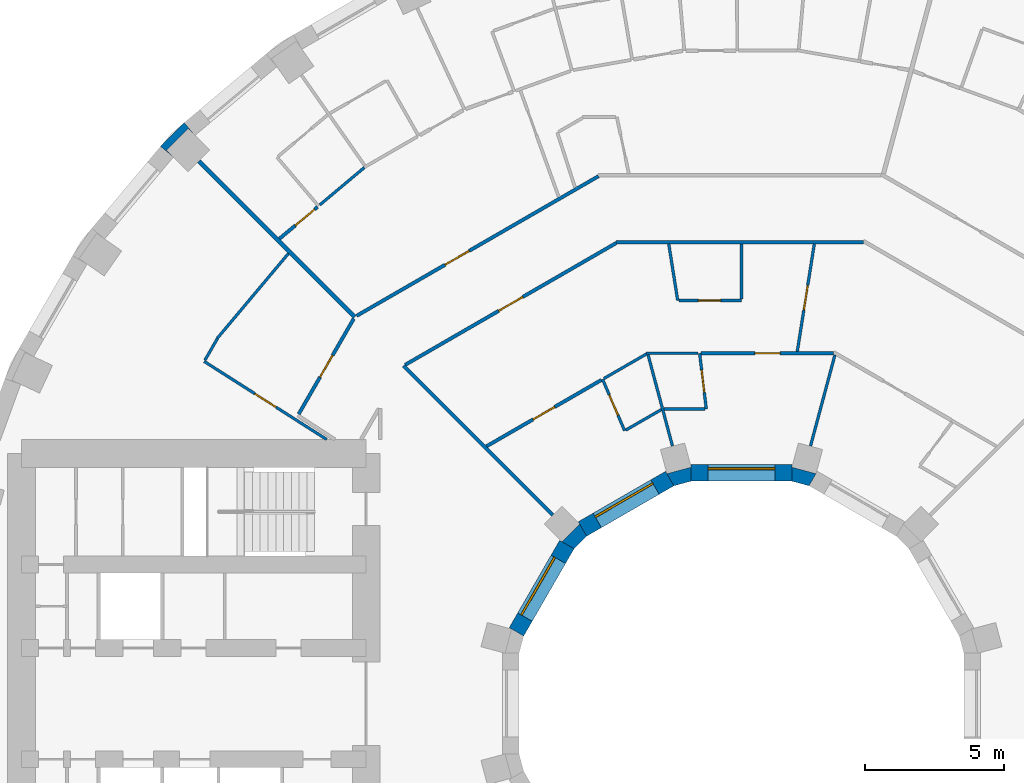
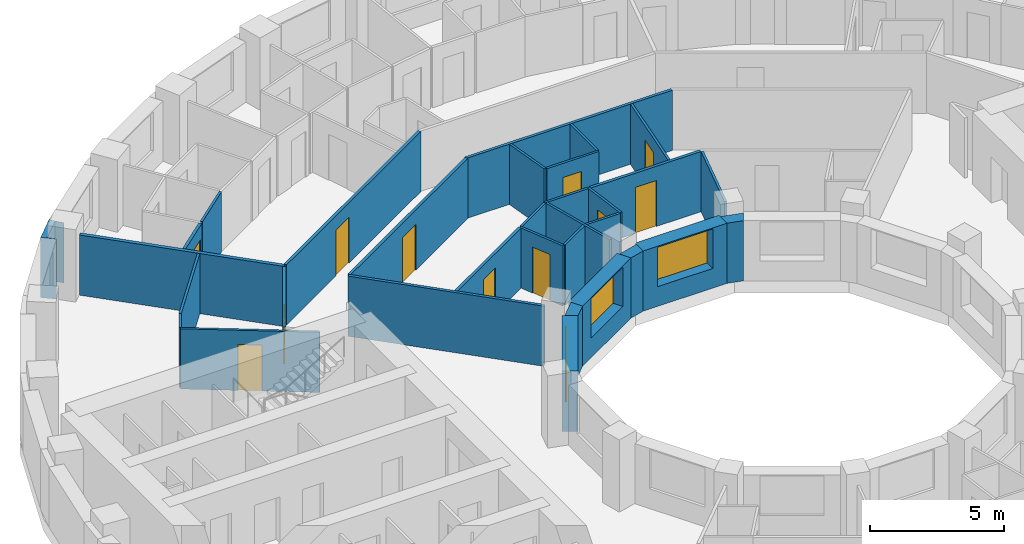
# One storey, part 11 of 16: 32 walls, 11 doors, 3 windows, 14 openings.
"""IFC4 building model written with IfcOpenShell, lengths in metres."""

from ifc_helpers import new_model, si_unit, direction, frame, frame_2d, origin, place, context, subcontext, project, spatial, polyline, rectangle, outline, extrude, material, layer, layer_set, type_object, element, fill, save


model = new_model("IFC4")

# Units and contexts
model_context = context("Model", 3, precision=1e-05, world=origin(), true_north=direction((0.0, 1.0)))
body_context = subcontext(model_context, "Body", "Model", "MODEL_VIEW")
ifc_project = project(units=[si_unit("LENGTHUNIT", "METRE"), si_unit("AREAUNIT", "SQUARE_METRE"), si_unit("VOLUMEUNIT", "CUBIC_METRE"), si_unit("PLANEANGLEUNIT", "RADIAN"), si_unit("MASSUNIT", "GRAM", prefix="KILO")], contexts=[model_context])

# Site, building, storey
site_placement = place(None, origin())
site = spatial("IfcSite", under=ifc_project, at=site_placement, CompositionType="ELEMENT")
building_placement = place(site_placement, origin())
building = spatial("IfcBuilding", under=site, at=building_placement, Name="Saqina Gate Tower", CompositionType="ELEMENT")
storey_placement = place(building_placement, frame((0.0, 0.0, 26.300048828125)))
storey = spatial("IfcBuildingStorey", under=building, at=storey_placement, Name="L06", CompositionType="ELEMENT", Elevation=26.300048828125)

# Wall
ifc_material_1 = material(Name="Brick masonry (red)", Category="masonry")
wall_type_1 = type_object("IfcWallType", Name="BRICK PIER COPING RED", PredefinedType="SOLIDWALL", material=ifc_material_1)
wall_1_placement = place(storey_placement, origin())
element("IfcWall", 1, at=wall_1_placement, inside=storey, type_object=wall_type_1, Name="Pier cap L06 column 14", PredefinedType="SOLIDWALL", context=body_context, shape_type="SweptSolid", body=[
    extrude(outline(polyline([(-20.894775390625, 20.04296875), (-20.43505859375, 19.6572265625), (-20.682861328125, 19.905029296875), (-19.905029296875, 20.682861328125), (-19.6572265625, 20.43505859375), (-20.04296875, 20.894775390625), (-20.894775390625, 20.04296875)])), origin(), (0.0, 0.0, 1.0), 2.75),
])

# Wall, opening, window
ifc_material_2 = material(Name="Glazed ceramic tile", Category="ceramic")
ifc_layer_1 = layer(ifc_material_2, 0.60009765625)
ifc_layer_set_1 = layer_set([ifc_layer_1], Name="IW-TILE")
wall_type_2 = type_object("IfcWallType", Name="IW-TILE", PredefinedType="SOLIDWALL", material=ifc_layer_set_1)
wall_2_placement = place(storey_placement, frame((1.8125, 8.300048828125, 0.0), z_axis=(0.0, 0.0, 1.0), x_axis=(-1.0, 0.0, 0.0)))
wall_2 = element("IfcWall", 2, at=wall_2_placement, inside=storey, type_object=wall_type_2, Name="Well wall L06 facet 3", PredefinedType="SOLIDWALL", context=body_context, shape_type="SweptSolid", body=[
    extrude(rectangle(XDim=3.625, YDim=0.60009765625, at=frame_2d((1.8125, 0.0))), origin(), (0.0, 0.0, 1.0), 2.75),
])
opening_1_placement = place(wall_2_placement, frame((0.612548828125, 0.0, 0.89990234375)))
opening_1 = element("IfcOpeningElement", 3, at=opening_1_placement, cuts=wall_2, Name="Opening G01-W25", PredefinedType="OPENING", context=body_context, shape_type="SweptSolid", body=[
    extrude(rectangle(XDim=2.39990234375, YDim=1.800048828125, at=frame_2d((1.199951171875, 0.89990234375))), frame((0.0, 0.31201171875, 0.0), z_axis=(0.0, -1.0, 0.0), x_axis=(1.0, 0.0, 0.0)), (0.0, 0.0, 1.0), 0.6240234375),
])
ifc_material_3 = material(Name="Aluminium glazing", Category="aluminium")
window_type = type_object("IfcWindowType", Name="WN-W", PartitioningType="SINGLE_PANEL", PredefinedType="WINDOW", material=ifc_material_3)
window_1_placement = place(opening_1_placement, origin())
window_1 = element("IfcWindow", 4, at=window_1_placement, inside=storey, type_object=window_type, Name="Well window L06 facet 3", OverallHeight=1.800048828125, OverallWidth=2.39990234375, PartitioningType="SINGLE_PANEL", PredefinedType="WINDOW", context=body_context, shape_type="SweptSolid", body=[
    extrude(rectangle(XDim=2.39990234375, YDim=1.800048828125, at=frame_2d((1.199951171875, 0.89990234375))), frame((0.0, -0.119873046875, 0.0), z_axis=(0.0, -1.0, 0.0), x_axis=(1.0, 0.0, 0.0)), (0.0, 0.0, 1.0), 0.06005859375),
])
fill(opening_1, window_1)

wall_3_placement = place(storey_placement, frame((-2.580322265625, 8.09423828125, 0.0), z_axis=(0.0, 0.0, 1.0), x_axis=(-0.866029693906, -0.499992569217, 0.0)))
wall_3 = element("IfcWall", 5, at=wall_3_placement, inside=storey, type_object=wall_type_2, Name="Well wall L06 facet 4", PredefinedType="SOLIDWALL", context=body_context, shape_type="SweptSolid", body=[
    extrude(rectangle(XDim=3.625, YDim=0.60009765625, at=frame_2d((1.8125, 0.0))), origin(), (0.0, 0.0, 1.0), 2.75),
])
opening_2_placement = place(wall_3_placement, frame((0.612548828125, 0.0, 0.89990234375)))
opening_2 = element("IfcOpeningElement", 6, at=opening_2_placement, cuts=wall_3, Name="Opening G01-W26", PredefinedType="OPENING", context=body_context, shape_type="SweptSolid", body=[
    extrude(rectangle(XDim=2.39990234375, YDim=1.800048828125, at=frame_2d((1.199951171875, 0.89990234375))), frame((0.0, 0.31201171875, 0.0), z_axis=(0.0, -1.0, 0.0), x_axis=(1.0, 0.0, 0.0)), (0.0, 0.0, 1.0), 0.6240234375),
])
window_2_placement = place(opening_2_placement, origin())
window_2 = element("IfcWindow", 7, at=window_2_placement, inside=storey, type_object=window_type, Name="Well window L06 facet 4", OverallHeight=1.800048828125, OverallWidth=2.39990234375, PartitioningType="SINGLE_PANEL", PredefinedType="WINDOW", context=body_context, shape_type="SweptSolid", body=[
    extrude(rectangle(XDim=2.39990234375, YDim=1.800048828125, at=frame_2d((1.199951171875, 0.89990234375))), frame((0.0, -0.119873046875, 0.0), z_axis=(0.0, -1.0, 0.0), x_axis=(1.0, 0.0, 0.0)), (0.0, 0.0, 1.0), 0.06005859375),
])
fill(opening_2, window_2)

wall_4_placement = place(storey_placement, frame((-6.28173828125, 5.7197265625, 0.0), z_axis=(0.0, 0.0, 1.0), x_axis=(-0.499992569217, -0.866029693906, 0.0)))
wall_4 = element("IfcWall", 8, at=wall_4_placement, inside=storey, type_object=wall_type_2, Name="Well wall L06 facet 5", PredefinedType="SOLIDWALL", context=body_context, shape_type="SweptSolid", body=[
    extrude(rectangle(XDim=3.625, YDim=0.60009765625, at=frame_2d((1.8125, 0.0))), origin(), (0.0, 0.0, 1.0), 2.75),
])
opening_3_placement = place(wall_4_placement, frame((0.612548828125, 0.0, 0.89990234375)))
opening_3 = element("IfcOpeningElement", 9, at=opening_3_placement, cuts=wall_4, Name="Opening G01-W27", PredefinedType="OPENING", context=body_context, shape_type="SweptSolid", body=[
    extrude(rectangle(XDim=2.39990234375, YDim=1.800048828125, at=frame_2d((1.199951171875, 0.89990234375))), frame((0.0, 0.31201171875, 0.0), z_axis=(0.0, -1.0, 0.0), x_axis=(1.0, 0.0, 0.0)), (0.0, 0.0, 1.0), 0.6240234375),
])
window_3_placement = place(opening_3_placement, origin())
window_3 = element("IfcWindow", 10, at=window_3_placement, inside=storey, type_object=window_type, Name="Well window L06 facet 5", OverallHeight=1.800048828125, OverallWidth=2.39990234375, PartitioningType="SINGLE_PANEL", PredefinedType="WINDOW", context=body_context, shape_type="SweptSolid", body=[
    extrude(rectangle(XDim=2.39990234375, YDim=1.800048828125, at=frame_2d((1.199951171875, 0.89990234375))), frame((0.0, -0.119873046875, 0.0), z_axis=(0.0, -1.0, 0.0), x_axis=(1.0, 0.0, 0.0)), (0.0, 0.0, 1.0), 0.06005859375),
])
fill(opening_3, window_3)

# Wall, opening, door
ifc_material_4 = material(Name="Gypsum board on steel studs, 100 mm", Category="steel")
ifc_layer_2 = layer(ifc_material_4, 0.10009765625)
ifc_layer_set_2 = layer_set([ifc_layer_2], Name="PARTITION 100")
wall_type_3 = type_object("IfcWallType", Name="PARTITION 100", PredefinedType="PARTITIONING", material=ifc_layer_set_2)
wall_5_placement = place(storey_placement, frame((-1.506103515625, 12.60009765625, 0.0), z_axis=(0.0, 0.0, 1.0), x_axis=(0.11866247814, -0.992934648545, 0.0)))
wall_5 = element("IfcWall", 11, at=wall_5_placement, inside=storey, type_object=wall_type_3, Name="PARTITION PW3-05", PredefinedType="PARTITIONING", context=body_context, shape_type="SweptSolid", body=[
    extrude(rectangle(XDim=2.01416015625, YDim=0.10009765625, at=frame_2d((1.007080078125, 0.0))), origin(), (0.0, 0.0, 1.0), 2.75),
])
opening_4_placement = place(wall_5_placement, frame((0.607177734375, 0.0, 0.0)))
opening_4 = element("IfcOpeningElement", 12, at=opening_4_placement, cuts=wall_5, Name="Opening G01-D23", PredefinedType="OPENING", context=body_context, shape_type="SweptSolid", body=[
    extrude(rectangle(XDim=0.800048828125, YDim=2.10009765625, at=frame_2d((0.39990234375, 1.050048828125))), frame((0.0, 0.06201171875, 0.0), z_axis=(0.0, -1.0, 0.0), x_axis=(1.0, 0.0, 0.0)), (0.0, 0.0, 1.0), 0.1240234375),
])
ifc_material_5 = material(Name="Timber door leaf, 800 mm", Category="wood")
door_type_1 = type_object("IfcDoorType", Name="DOOR 800 TIMBER", OperationType="SINGLE_SWING_LEFT", PredefinedType="DOOR", material=ifc_material_5)
door_1_placement = place(opening_4_placement, origin())
door_1 = element("IfcDoor", 13, at=door_1_placement, inside=storey, type_object=door_type_1, Name="DOOR G01-D23", OperationType="SINGLE_SWING_LEFT", OverallHeight=2.10009765625, OverallWidth=0.800048828125, PredefinedType="DOOR", context=body_context, shape_type="SweptSolid", body=[
    extrude(rectangle(XDim=0.800048828125, YDim=2.10009765625, at=frame_2d((0.39990234375, 1.050048828125))), frame((0.0, 0.02490234375, 0.0), z_axis=(0.0, -1.0, 0.0), x_axis=(1.0, 0.0, 0.0)), (0.0, 0.0, 1.0), 0.050048828125),
])
fill(opening_4, door_1)

# Walls
wall_6_placement = place(storey_placement, frame((-2.6171875, 16.538330078125, 0.0), z_axis=(0.0, 0.0, 1.0), x_axis=(0.156163049852, -0.987731290312, 0.0)))
element("IfcWall", 14, at=wall_6_placement, inside=storey, type_object=wall_type_3, Name="PARTITION PW3-07", PredefinedType="PARTITIONING", context=body_context, shape_type="SweptSolid", body=[
    extrude(rectangle(XDim=2.063720703125, YDim=0.10009765625, at=frame_2d((1.03173828125, 0.0))), origin(), (0.0, 0.0, 1.0), 2.75),
])
wall_7_placement = place(storey_placement, frame((-3.362060546875, 12.552001953125, 0.0), z_axis=(0.0, 0.0, 1.0), x_axis=(0.258323584226, -0.966058448456, 0.0)))
element("IfcWall", 15, at=wall_7_placement, inside=storey, type_object=wall_type_3, Name="PARTITION PW3-13", PredefinedType="PARTITIONING", context=body_context, shape_type="SweptSolid", body=[
    extrude(rectangle(XDim=3.40234375, YDim=0.10009765625, at=frame_2d((1.701171875, 0.0))), origin(), (0.0, 0.0, 1.0), 2.75),
])

# Wall, opening, door
wall_8_placement = place(storey_placement, frame((-4.99609375, 11.6650390625, 0.0), z_axis=(0.0, 0.0, 1.0), x_axis=(0.39369991752, -0.919239019485, 0.0)))
wall_8 = element("IfcWall", 16, at=wall_8_placement, inside=storey, type_object=wall_type_3, Name="PARTITION PW3-19", PredefinedType="PARTITIONING", context=body_context, shape_type="SweptSolid", body=[
    extrude(rectangle(XDim=2.0146484375, YDim=0.10009765625, at=frame_2d((1.00732421875, 0.0))), origin(), (0.0, 0.0, 1.0), 2.75),
])
opening_5_placement = place(wall_8_placement, frame((0.607421875, 0.0, 0.0)))
opening_5 = element("IfcOpeningElement", 17, at=opening_5_placement, cuts=wall_8, Name="Opening G01-D30", PredefinedType="OPENING", context=body_context, shape_type="SweptSolid", body=[
    extrude(rectangle(XDim=0.800048828125, YDim=2.10009765625, at=frame_2d((0.39990234375, 1.050048828125))), frame((0.0, 0.06201171875, 0.0), z_axis=(0.0, -1.0, 0.0), x_axis=(1.0, 0.0, 0.0)), (0.0, 0.0, 1.0), 0.1240234375),
])
door_2_placement = place(opening_5_placement, frame((0.800048828125, 0.0, 0.0), z_axis=(0.0, 0.0, 1.0), x_axis=(-1.0, 0.0, 0.0)))
door_2 = element("IfcDoor", 18, at=door_2_placement, inside=storey, type_object=door_type_1, Name="DOOR G01-D30", OperationType="SINGLE_SWING_RIGHT", OverallHeight=2.10009765625, OverallWidth=0.800048828125, PredefinedType="DOOR", context=body_context, shape_type="SweptSolid", body=[
    extrude(rectangle(XDim=0.800048828125, YDim=2.10009765625, at=frame_2d((0.39990234375, 1.050048828125))), frame((0.0, 0.02490234375, 0.0), z_axis=(0.0, -1.0, 0.0), x_axis=(1.0, 0.0, 0.0)), (0.0, 0.0, 1.0), 0.050048828125),
])
fill(opening_5, door_2)

wall_9_placement = place(storey_placement, frame((-19.324951171875, 12.306884765625, 0.0), z_axis=(0.0, 0.0, 1.0), x_axis=(0.843449781198, -0.537208029163, 0.0)))
wall_9 = element("IfcWall", 19, at=wall_9_placement, inside=storey, type_object=wall_type_3, Name="PARTITION PW3-36", PredefinedType="PARTITIONING", context=body_context, shape_type="SweptSolid", body=[
    extrude(rectangle(XDim=5.224853515625, YDim=0.10009765625, at=frame_2d((2.6123046875, 0.0))), origin(), (0.0, 0.0, 1.0), 2.75),
])
opening_6_placement = place(wall_9_placement, frame((2.16259765625, 0.0, 0.0)))
opening_6 = element("IfcOpeningElement", 20, at=opening_6_placement, cuts=wall_9, Name="Opening G01-D39", PredefinedType="OPENING", context=body_context, shape_type="SweptSolid", body=[
    extrude(rectangle(XDim=0.89990234375, YDim=2.10009765625, at=frame_2d((0.449951171875, 1.050048828125))), frame((0.0, 0.06201171875, 0.0), z_axis=(0.0, -1.0, 0.0), x_axis=(1.0, 0.0, 0.0)), (0.0, 0.0, 1.0), 0.1240234375),
])
ifc_material_6 = material(Name="Timber door leaf, 900 mm", Category="wood")
door_type_2 = type_object("IfcDoorType", Name="DOOR 900 TIMBER", OperationType="SINGLE_SWING_LEFT", PredefinedType="DOOR", material=ifc_material_6)
door_3_placement = place(opening_6_placement, frame((0.89990234375, 0.0, 0.0), z_axis=(0.0, 0.0, 1.0), x_axis=(-1.0, 0.0, 0.0)))
door_3 = element("IfcDoor", 21, at=door_3_placement, inside=storey, type_object=door_type_2, Name="DOOR G01-D39", OperationType="SINGLE_SWING_RIGHT", OverallHeight=2.10009765625, OverallWidth=0.89990234375, PredefinedType="DOOR", context=body_context, shape_type="SweptSolid", body=[
    extrude(rectangle(XDim=0.89990234375, YDim=2.10009765625, at=frame_2d((0.449951171875, 1.050048828125))), frame((0.0, 0.02490234375, 0.0), z_axis=(0.0, -1.0, 0.0), x_axis=(1.0, 0.0, 0.0)), (0.0, 0.0, 1.0), 0.050048828125),
])
fill(opening_6, door_3)

# Walls
wall_10_placement = place(storey_placement, frame((-2.7900390625, 10.60009765625, 0.0), z_axis=(0.0, 0.0, 1.0), x_axis=(1.0, 0.0, 0.0)))
element("IfcWall", 22, at=wall_10_placement, inside=storey, type_object=wall_type_3, Name="PARTITION PW3-61", PredefinedType="PARTITIONING", context=body_context, shape_type="SweptSolid", body=[
    extrude(rectangle(XDim=1.47314453125, YDim=0.10009765625, at=frame_2d((0.736572265625, 0.0))), origin(), (0.0, 0.0, 1.0), 2.75),
])
wall_11_placement = place(storey_placement, frame((-3.433837890625, 12.60009765625, 0.0), z_axis=(0.0, 0.0, 1.0), x_axis=(1.0, 0.0, 0.0)))
element("IfcWall", 23, at=wall_11_placement, inside=storey, type_object=wall_type_3, Name="PARTITION PW3-62", PredefinedType="PARTITIONING", context=body_context, shape_type="SweptSolid", body=[
    extrude(rectangle(XDim=1.8779296875, YDim=0.10009765625, at=frame_2d((0.93896484375, 0.0))), origin(), (0.0, 0.0, 1.0), 2.75),
])

# Wall, opening, door
wall_12_placement = place(storey_placement, frame((-2.2451171875, 14.5, 0.0), z_axis=(0.0, 0.0, 1.0), x_axis=(1.0, 0.0, 0.0)))
wall_12 = element("IfcWall", 24, at=wall_12_placement, inside=storey, type_object=wall_type_3, Name="PARTITION PW3-63", PredefinedType="PARTITIONING", context=body_context, shape_type="SweptSolid", body=[
    extrude(rectangle(XDim=2.2451171875, YDim=0.10009765625, at=frame_2d((1.12255859375, 0.0))), origin(), (0.0, 0.0, 1.0), 2.75),
])
opening_7_placement = place(wall_12_placement, frame((0.697509765625, 0.0, 0.0)))
opening_7 = element("IfcOpeningElement", 25, at=opening_7_placement, cuts=wall_12, Name="Opening G01-D22", PredefinedType="OPENING", context=body_context, shape_type="SweptSolid", body=[
    extrude(rectangle(XDim=0.800048828125, YDim=2.10009765625, at=frame_2d((0.39990234375, 1.050048828125))), frame((0.0, 0.06201171875, 0.0), z_axis=(0.0, -1.0, 0.0), x_axis=(1.0, 0.0, 0.0)), (0.0, 0.0, 1.0), 0.1240234375),
])
door_4_placement = place(opening_7_placement, frame((0.800048828125, 0.0, 0.0), z_axis=(0.0, 0.0, 1.0), x_axis=(-1.0, 0.0, 0.0)))
door_4 = element("IfcDoor", 26, at=door_4_placement, inside=storey, type_object=door_type_1, Name="DOOR G01-D22", OperationType="SINGLE_SWING_RIGHT", OverallHeight=2.10009765625, OverallWidth=0.800048828125, PredefinedType="DOOR", context=body_context, shape_type="SweptSolid", body=[
    extrude(rectangle(XDim=0.800048828125, YDim=2.10009765625, at=frame_2d((0.39990234375, 1.050048828125))), frame((0.0, 0.02490234375, 0.0), z_axis=(0.0, -1.0, 0.0), x_axis=(1.0, 0.0, 0.0)), (0.0, 0.0, 1.0), 0.050048828125),
])
fill(opening_7, door_4)

# Walls
wall_13_placement = place(storey_placement, frame((-4.15966796875, 9.837890625, 0.0), z_axis=(0.0, 0.0, 1.0), x_axis=(0.865981447571, 0.500076126667, 0.0)))
element("IfcWall", 27, at=wall_13_placement, inside=storey, type_object=wall_type_3, Name="PARTITION PW3-78", PredefinedType="PARTITIONING", context=body_context, shape_type="SweptSolid", body=[
    extrude(rectangle(XDim=1.473876953125, YDim=0.10009765625, at=frame_2d((0.73681640625, 0.0))), origin(), (0.0, 0.0, 1.0), 2.75),
])
wall_14_placement = place(storey_placement, frame((-4.95263671875, 11.68994140625, 0.0), z_axis=(0.0, 0.0, 1.0), x_axis=(0.86610522661, 0.499861717316, 0.0)))
element("IfcWall", 28, at=wall_14_placement, inside=storey, type_object=wall_type_3, Name="PARTITION PW3-79", PredefinedType="PARTITIONING", context=body_context, shape_type="SweptSolid", body=[
    extrude(rectangle(XDim=1.7705078125, YDim=0.10009765625, at=frame_2d((0.88525390625, 0.0))), origin(), (0.0, 0.0, 1.0), 2.75),
])
wall_15_placement = place(storey_placement, frame((-15.166015625, 17.938232421875, 0.0), z_axis=(0.0, 0.0, 1.0), x_axis=(0.766084035901, 0.642740421895, 0.0)))
element("IfcWall", 29, at=wall_15_placement, inside=storey, type_object=wall_type_3, Name="PARTITION PW3-87", PredefinedType="PARTITIONING", context=body_context, shape_type="SweptSolid", body=[
    extrude(rectangle(XDim=2.09228515625, YDim=0.10009765625, at=frame_2d((1.046142578125, 0.0))), origin(), (0.0, 0.0, 1.0), 2.75),
])
wall_16_placement = place(storey_placement, frame((-18.854736328125, 13.14013671875, 0.0), z_axis=(0.0, 0.0, 1.0), x_axis=(0.642918792106, 0.765934348856, 0.0)))
element("IfcWall", 30, at=wall_16_placement, inside=storey, type_object=wall_type_3, Name="PARTITION PW3-93", PredefinedType="PARTITIONING", context=body_context, shape_type="SweptSolid", body=[
    extrude(rectangle(XDim=3.981201171875, YDim=0.10009765625, at=frame_2d((1.99072265625, 0.0))), origin(), (0.0, 0.0, 1.0), 2.75),
])
wall_17_placement = place(storey_placement, frame((-19.300048828125, 12.350341796875, 0.0), z_axis=(0.0, 0.0, 1.0), x_axis=(0.499730223204, 0.866181103474, 0.0)))
element("IfcWall", 31, at=wall_17_placement, inside=storey, type_object=wall_type_3, Name="PARTITION PW3-102", PredefinedType="PARTITIONING", context=body_context, shape_type="SweptSolid", body=[
    extrude(rectangle(XDim=0.90673828125, YDim=0.10009765625, at=frame_2d((0.453369140625, 0.0))), origin(), (0.0, 0.0, 1.0), 2.75),
])
wall_18_placement = place(storey_placement, frame((2.482666015625, 9.265380859375, 0.0), z_axis=(0.0, 0.0, 1.0), x_axis=(0.258787687785, 0.965934227911, 0.0)))
element("IfcWall", 32, at=wall_18_placement, inside=storey, type_object=wall_type_3, Name="PARTITION PW3-110", PredefinedType="PARTITIONING", context=body_context, shape_type="SweptSolid", body=[
    extrude(rectangle(XDim=3.3896484375, YDim=0.10009765625, at=frame_2d((1.69482421875, 0.0))), origin(), (0.0, 0.0, 1.0), 2.75),
])

# Wall, opening, door
wall_19_placement = place(storey_placement, frame((2.005859375, 12.66162109375, 0.0), z_axis=(0.0, 0.0, 1.0), x_axis=(0.15625323836, 0.987717027039, 0.0)))
wall_19 = element("IfcWall", 33, at=wall_19_placement, inside=storey, type_object=wall_type_3, Name="PARTITION PW3-115", PredefinedType="PARTITIONING", context=body_context, shape_type="SweptSolid", body=[
    extrude(rectangle(XDim=3.9248046875, YDim=0.10009765625, at=frame_2d((1.96240234375, 0.0))), origin(), (0.0, 0.0, 1.0), 2.75),
])
opening_8_placement = place(wall_19_placement, frame((1.512451171875, 0.0, 0.0)))
opening_8 = element("IfcOpeningElement", 34, at=opening_8_placement, cuts=wall_19, Name="Opening G01-D17", PredefinedType="OPENING", context=body_context, shape_type="SweptSolid", body=[
    extrude(rectangle(XDim=0.89990234375, YDim=2.10009765625, at=frame_2d((0.449951171875, 1.050048828125))), frame((0.0, 0.06201171875, 0.0), z_axis=(0.0, -1.0, 0.0), x_axis=(1.0, 0.0, 0.0)), (0.0, 0.0, 1.0), 0.1240234375),
])
door_5_placement = place(opening_8_placement, origin())
door_5 = element("IfcDoor", 35, at=door_5_placement, inside=storey, type_object=door_type_2, Name="DOOR G01-D17", OperationType="SINGLE_SWING_RIGHT", OverallHeight=2.10009765625, OverallWidth=0.89990234375, PredefinedType="DOOR", context=body_context, shape_type="SweptSolid", body=[
    extrude(rectangle(XDim=0.89990234375, YDim=2.10009765625, at=frame_2d((0.449951171875, 1.050048828125))), frame((0.0, 0.02490234375, 0.0), z_axis=(0.0, -1.0, 0.0), x_axis=(1.0, 0.0, 0.0)), (0.0, 0.0, 1.0), 0.050048828125),
])
fill(opening_8, door_5)

# Walls
wall_20_placement = place(storey_placement, frame((0.0, 14.550048828125, 0.0), z_axis=(0.0, 0.0, 1.0), x_axis=(0.0, 1.0, 0.0)))
element("IfcWall", 36, at=wall_20_placement, inside=storey, type_object=wall_type_3, Name="PARTITION PW3-121", PredefinedType="PARTITIONING", context=body_context, shape_type="SweptSolid", body=[
    extrude(rectangle(XDim=1.987548828125, YDim=0.10009765625, at=frame_2d((0.99365234375, 0.0))), origin(), (0.0, 0.0, 1.0), 2.75),
])
ifc_material_7 = material(Name="Gypsum board on steel studs, 125 mm, fire rated", Category="steel")
ifc_layer_3 = layer(ifc_material_7, 0.125)
ifc_layer_set_3 = layer_set([ifc_layer_3], Name="PARTITION EI 30 125")
wall_type_4 = type_object("IfcWallType", Name="PARTITION EI 30 125", PredefinedType="PARTITIONING", material=ifc_layer_set_3)
wall_21_placement = place(storey_placement, frame((-12.152099609375, 12.152099609375, 0.0), z_axis=(0.0, 0.0, 1.0), x_axis=(0.707106781187, -0.707106781187, 0.0)))
element("IfcWall", 37, at=wall_21_placement, inside=storey, type_object=wall_type_4, Name="PARTITION PW1-08", PredefinedType="PARTITIONING", context=body_context, shape_type="SweptSolid", body=[
    extrude(rectangle(XDim=7.593505859375, YDim=0.125, at=frame_2d((3.796875, 0.0))), origin(), (0.0, 0.0, 1.0), 2.75),
])

# Wall, opening, door
wall_22_placement = place(storey_placement, frame((-1.4560546875, 12.60009765625, 0.0), z_axis=(0.0, 0.0, 1.0), x_axis=(1.0, 0.0, 0.0)))
wall_22 = element("IfcWall", 38, at=wall_22_placement, inside=storey, type_object=wall_type_4, Name="PARTITION PW1-29", PredefinedType="PARTITIONING", context=body_context, shape_type="SweptSolid", body=[
    extrude(rectangle(XDim=4.76953125, YDim=0.125, at=frame_2d((2.384765625, 0.0))), origin(), (0.0, 0.0, 1.0), 2.75),
])
opening_9_placement = place(wall_22_placement, frame((1.94091796875, 0.0, 0.0)))
opening_9 = element("IfcOpeningElement", 39, at=opening_9_placement, cuts=wall_22, Name="Opening G01-D19", PredefinedType="OPENING", context=body_context, shape_type="SweptSolid", body=[
    extrude(rectangle(XDim=0.89990234375, YDim=2.10009765625, at=frame_2d((0.449951171875, 1.050048828125))), frame((0.0, 0.074462890625, 0.0), z_axis=(0.0, -1.0, 0.0), x_axis=(1.0, 0.0, 0.0)), (0.0, 0.0, 1.0), 0.14892578125),
])
ifc_material_8 = material(Name="Fire door leaf EI 30, 900 mm")
door_type_3 = type_object("IfcDoorType", Name="DOOR 900 EI 30", OperationType="SINGLE_SWING_LEFT", PredefinedType="DOOR", material=ifc_material_8)
door_6_placement = place(opening_9_placement, origin())
door_6 = element("IfcDoor", 40, at=door_6_placement, inside=storey, type_object=door_type_3, Name="DOOR G01-D19", OperationType="SINGLE_SWING_RIGHT", OverallHeight=2.10009765625, OverallWidth=0.89990234375, PredefinedType="DOOR", context=body_context, shape_type="SweptSolid", body=[
    extrude(rectangle(XDim=0.89990234375, YDim=2.10009765625, at=frame_2d((0.449951171875, 1.050048828125))), frame((0.0, 0.02490234375, 0.0), z_axis=(0.0, -1.0, 0.0), x_axis=(1.0, 0.0, 0.0)), (0.0, 0.0, 1.0), 0.050048828125),
])
fill(opening_9, door_6)

# Wall
wall_23_placement = place(storey_placement, frame((-4.520263671875, 16.60009765625, 0.0), z_axis=(0.0, 0.0, 1.0), x_axis=(1.0, 0.0, 0.0)))
element("IfcWall", 41, at=wall_23_placement, inside=storey, type_object=wall_type_4, Name="PARTITION PW1-30", PredefinedType="PARTITIONING", context=body_context, shape_type="SweptSolid", body=[
    extrude(rectangle(XDim=8.90576171875, YDim=0.125, at=frame_2d((4.452880859375, 0.0))), origin(), (0.0, 0.0, 1.0), 2.75),
])

# Wall, opening, door
wall_24_placement = place(storey_placement, frame((-9.169921875, 9.25537109375, 0.0), z_axis=(0.0, 0.0, 1.0), x_axis=(0.866051761422, 0.499954344453, 0.0)))
wall_24 = element("IfcWall", 42, at=wall_24_placement, inside=storey, type_object=wall_type_4, Name="PARTITION PW1-40", PredefinedType="PARTITIONING", context=body_context, shape_type="SweptSolid", body=[
    extrude(rectangle(XDim=4.76953125, YDim=0.125, at=frame_2d((2.384765625, 0.0))), origin(), (0.0, 0.0, 1.0), 2.75),
])
opening_10_placement = place(wall_24_placement, frame((1.928466796875, 0.0, 0.0)))
opening_10 = element("IfcOpeningElement", 43, at=opening_10_placement, cuts=wall_24, Name="Opening G01-D35", PredefinedType="OPENING", context=body_context, shape_type="SweptSolid", body=[
    extrude(rectangle(XDim=0.89990234375, YDim=2.10009765625, at=frame_2d((0.449951171875, 1.050048828125))), frame((0.0, 0.074462890625, 0.0), z_axis=(0.0, -1.0, 0.0), x_axis=(1.0, 0.0, 0.0)), (0.0, 0.0, 1.0), 0.14892578125),
])
door_7_placement = place(opening_10_placement, origin())
door_7 = element("IfcDoor", 44, at=door_7_placement, inside=storey, type_object=door_type_3, Name="DOOR G01-D35", OperationType="SINGLE_SWING_LEFT", OverallHeight=2.10009765625, OverallWidth=0.89990234375, PredefinedType="DOOR", context=body_context, shape_type="SweptSolid", body=[
    extrude(rectangle(XDim=0.89990234375, YDim=2.10009765625, at=frame_2d((0.449951171875, 1.050048828125))), frame((0.0, 0.02490234375, 0.0), z_axis=(0.0, -1.0, 0.0), x_axis=(1.0, 0.0, 0.0)), (0.0, 0.0, 1.0), 0.050048828125),
])
fill(opening_10, door_7)

wall_25_placement = place(storey_placement, frame((-12.097900390625, 12.183349609375, 0.0), z_axis=(0.0, 0.0, 1.0), x_axis=(0.8660196372, 0.500009987883, 0.0)))
wall_25 = element("IfcWall", 45, at=wall_25_placement, inside=storey, type_object=wall_type_4, Name="PARTITION PW1-41", PredefinedType="PARTITIONING", context=body_context, shape_type="SweptSolid", body=[
    extrude(rectangle(XDim=8.770751953125, YDim=0.125, at=frame_2d((4.38525390625, 0.0))), origin(), (0.0, 0.0, 1.0), 2.75),
])
opening_11_placement = place(wall_25_placement, frame((3.885498046875, 0.0, 0.0)))
opening_11 = element("IfcOpeningElement", 46, at=opening_11_placement, cuts=wall_25, Name="Opening G01-D32", PredefinedType="OPENING", context=body_context, shape_type="SweptSolid", body=[
    extrude(rectangle(XDim=1.0, YDim=2.10009765625, at=frame_2d((0.5, 1.050048828125))), frame((0.0, 0.074462890625, 0.0), z_axis=(0.0, -1.0, 0.0), x_axis=(1.0, 0.0, 0.0)), (0.0, 0.0, 1.0), 0.14892578125),
])
ifc_material_9 = material(Name="Fire door leaf EI 30, 1000 mm")
door_type_4 = type_object("IfcDoorType", Name="DOOR 1000 EI 30", OperationType="SINGLE_SWING_LEFT", PredefinedType="DOOR", material=ifc_material_9)
door_8_placement = place(opening_11_placement, frame((1.0, 0.0, 0.0), z_axis=(0.0, 0.0, 1.0), x_axis=(-1.0, 0.0, 0.0)))
door_8 = element("IfcDoor", 47, at=door_8_placement, inside=storey, type_object=door_type_4, Name="DOOR G01-D32", OperationType="SINGLE_SWING_RIGHT", OverallHeight=2.10009765625, OverallWidth=1.0, PredefinedType="DOOR", context=body_context, shape_type="SweptSolid", body=[
    extrude(rectangle(XDim=1.0, YDim=2.10009765625, at=frame_2d((0.5, 1.050048828125))), frame((0.0, 0.02490234375, 0.0), z_axis=(0.0, -1.0, 0.0), x_axis=(1.0, 0.0, 0.0)), (0.0, 0.0, 1.0), 0.050048828125),
])
fill(opening_11, door_8)

wall_26_placement = place(storey_placement, frame((-13.843994140625, 13.946533203125, 0.0), z_axis=(0.0, 0.0, 1.0), x_axis=(0.866031375826, 0.499989655977, 0.0)))
wall_26 = element("IfcWall", 48, at=wall_26_placement, inside=storey, type_object=wall_type_4, Name="PARTITION PW1-42", PredefinedType="PARTITIONING", context=body_context, shape_type="SweptSolid", body=[
    extrude(rectangle(XDim=10.044677734375, YDim=0.125, at=frame_2d((5.0224609375, 0.0))), origin(), (0.0, 0.0, 1.0), 2.75),
])
opening_12_placement = place(wall_26_placement, frame((3.67431640625, 0.0, 0.0)))
opening_12 = element("IfcOpeningElement", 49, at=opening_12_placement, cuts=wall_26, Name="Opening G01-D34", PredefinedType="OPENING", context=body_context, shape_type="SweptSolid", body=[
    extrude(rectangle(XDim=1.0, YDim=2.10009765625, at=frame_2d((0.5, 1.050048828125))), frame((0.0, 0.074462890625, 0.0), z_axis=(0.0, -1.0, 0.0), x_axis=(1.0, 0.0, 0.0)), (0.0, 0.0, 1.0), 0.14892578125),
])
door_9_placement = place(opening_12_placement, origin())
door_9 = element("IfcDoor", 50, at=door_9_placement, inside=storey, type_object=door_type_4, Name="DOOR G01-D34", OperationType="SINGLE_SWING_LEFT", OverallHeight=2.10009765625, OverallWidth=1.0, PredefinedType="DOOR", context=body_context, shape_type="SweptSolid", body=[
    extrude(rectangle(XDim=1.0, YDim=2.10009765625, at=frame_2d((0.5, 1.050048828125))), frame((0.0, 0.02490234375, 0.0), z_axis=(0.0, -1.0, 0.0), x_axis=(1.0, 0.0, 0.0)), (0.0, 0.0, 1.0), 0.050048828125),
])
fill(opening_12, door_9)

wall_27_placement = place(storey_placement, frame((-16.6162109375, 16.721923828125, 0.0), z_axis=(0.0, 0.0, 1.0), x_axis=(0.766814187789, 0.641869146638, 0.0)))
wall_27 = element("IfcWall", 51, at=wall_27_placement, inside=storey, type_object=wall_type_4, Name="PARTITION PW1-46", PredefinedType="PARTITIONING", context=body_context, shape_type="SweptSolid", body=[
    extrude(rectangle(XDim=1.780029296875, YDim=0.125, at=frame_2d((0.89013671875, 0.0))), origin(), (0.0, 0.0, 1.0), 2.75),
])
opening_13_placement = place(wall_27_placement, frame((0.740234375, 0.0, 0.0)))
opening_13 = element("IfcOpeningElement", 52, at=opening_13_placement, cuts=wall_27, Name="Opening G01-D37", PredefinedType="OPENING", context=body_context, shape_type="SweptSolid", body=[
    extrude(rectangle(XDim=0.89990234375, YDim=2.10009765625, at=frame_2d((0.449951171875, 1.050048828125))), frame((0.0, 0.074462890625, 0.0), z_axis=(0.0, -1.0, 0.0), x_axis=(1.0, 0.0, 0.0)), (0.0, 0.0, 1.0), 0.14892578125),
])
door_10_placement = place(opening_13_placement, frame((0.89990234375, 0.0, 0.0), z_axis=(0.0, 0.0, 1.0), x_axis=(-1.0, 0.0, 0.0)))
door_10 = element("IfcDoor", 53, at=door_10_placement, inside=storey, type_object=door_type_3, Name="DOOR G01-D37", OperationType="SINGLE_SWING_LEFT", OverallHeight=2.10009765625, OverallWidth=0.89990234375, PredefinedType="DOOR", context=body_context, shape_type="SweptSolid", body=[
    extrude(rectangle(XDim=0.89990234375, YDim=2.10009765625, at=frame_2d((0.449951171875, 1.050048828125))), frame((0.0, 0.02490234375, 0.0), z_axis=(0.0, -1.0, 0.0), x_axis=(1.0, 0.0, 0.0)), (0.0, 0.0, 1.0), 0.050048828125),
])
fill(opening_13, door_10)

wall_28_placement = place(storey_placement, frame((-15.92578125, 10.416015625, 0.0), z_axis=(0.0, 0.0, 1.0), x_axis=(0.500019653581, 0.866014056487, 0.0)))
wall_28 = element("IfcWall", 54, at=wall_28_placement, inside=storey, type_object=wall_type_4, Name="PARTITION PW1-52", PredefinedType="PARTITIONING", context=body_context, shape_type="SweptSolid", body=[
    extrude(rectangle(XDim=3.958251953125, YDim=0.125, at=frame_2d((1.97900390625, 0.0))), origin(), (0.0, 0.0, 1.0), 2.75),
])
opening_14_placement = place(wall_28_placement, frame((1.535400390625, 0.0, 0.0)))
opening_14 = element("IfcOpeningElement", 55, at=opening_14_placement, cuts=wall_28, Name="Opening G01-D38", PredefinedType="OPENING", context=body_context, shape_type="SweptSolid", body=[
    extrude(rectangle(XDim=0.89990234375, YDim=2.10009765625, at=frame_2d((0.449951171875, 1.050048828125))), frame((0.0, 0.074462890625, 0.0), z_axis=(0.0, -1.0, 0.0), x_axis=(1.0, 0.0, 0.0)), (0.0, 0.0, 1.0), 0.14892578125),
])
door_11_placement = place(opening_14_placement, origin())
door_11 = element("IfcDoor", 56, at=door_11_placement, inside=storey, type_object=door_type_3, Name="DOOR G01-D38", OperationType="SINGLE_SWING_RIGHT", OverallHeight=2.10009765625, OverallWidth=0.89990234375, PredefinedType="DOOR", context=body_context, shape_type="SweptSolid", body=[
    extrude(rectangle(XDim=0.89990234375, YDim=2.10009765625, at=frame_2d((0.449951171875, 1.050048828125))), frame((0.0, 0.02490234375, 0.0), z_axis=(0.0, -1.0, 0.0), x_axis=(1.0, 0.0, 0.0)), (0.0, 0.0, 1.0), 0.050048828125),
])
fill(opening_14, door_11)

# Walls
ifc_material_10 = material(Name="Gypsum board on steel studs, 150 mm, fire rated", Category="steel")
ifc_layer_4 = layer(ifc_material_10, 0.14990234375)
ifc_layer_set_4 = layer_set([ifc_layer_4], Name="PARTITION EI 60 150")
wall_type_5 = type_object("IfcWallType", Name="PARTITION EI 60 150", PredefinedType="PARTITIONING", material=ifc_layer_set_4)
wall_29_placement = place(storey_placement, frame((-19.509033203125, 19.509033203125, 0.0), z_axis=(0.0, 0.0, 1.0), x_axis=(0.707106781187, -0.707106781187, 0.0)))
element("IfcWall", 57, at=wall_29_placement, inside=storey, type_object=wall_type_5, Name="PARTITION PW2-02", PredefinedType="PARTITIONING", context=body_context, shape_type="SweptSolid", body=[
    extrude(rectangle(XDim=7.919677734375, YDim=0.14990234375, at=frame_2d((3.9599609375, 0.0))), origin(), (0.0, 0.0, 1.0), 2.75),
])
ifc_material_11 = material(Name="Glazed ceramic tile", Category="ceramic")
wall_type_6 = type_object("IfcWallType", Name="TILE PIER COPING", PredefinedType="SOLIDWALL", material=ifc_material_11)
wall_30_placement = place(storey_placement, origin())
element("IfcWall", 58, at=wall_30_placement, inside=storey, type_object=wall_type_6, Name="Well pier cap L06 column 3", PredefinedType="SOLIDWALL", context=body_context, shape_type="SweptSolid", body=[
    extrude(outline(polyline([(1.8125, 8.502685546875), (1.8125, 8.0), (2.430419921875, 7.83447265625), (2.681884765625, 8.27001953125), (1.8125, 8.502685546875)])), origin(), (0.0, 0.0, 1.0), 2.75),
])
wall_31_placement = place(storey_placement, origin())
element("IfcWall", 59, at=wall_31_placement, inside=storey, type_object=wall_type_6, Name="Well pier cap L06 column 4", PredefinedType="SOLIDWALL", context=body_context, shape_type="SweptSolid", body=[
    extrude(outline(polyline([(-2.681884765625, 8.27001953125), (-2.430419921875, 7.83447265625), (-1.8125, 8.0), (-1.8125, 8.502685546875), (-2.681884765625, 8.27001953125)])), origin(), (0.0, 0.0, 1.0), 2.75),
])
wall_32_placement = place(storey_placement, origin())
element("IfcWall", 60, at=wall_32_placement, inside=storey, type_object=wall_type_6, Name="Well pier cap L06 column 5", PredefinedType="SOLIDWALL", context=body_context, shape_type="SweptSolid", body=[
    extrude(outline(polyline([(-6.45751953125, 5.821044921875), (-6.02197265625, 5.569580078125), (-5.569580078125, 6.02197265625), (-5.821044921875, 6.45751953125), (-6.45751953125, 5.821044921875)])), origin(), (0.0, 0.0, 1.0), 2.75),
])

save(model, "model.ifc")
